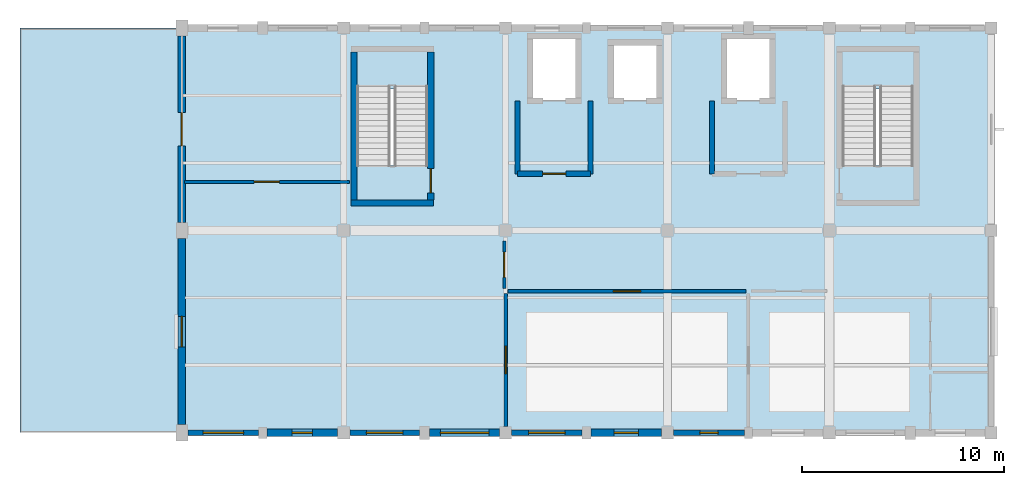
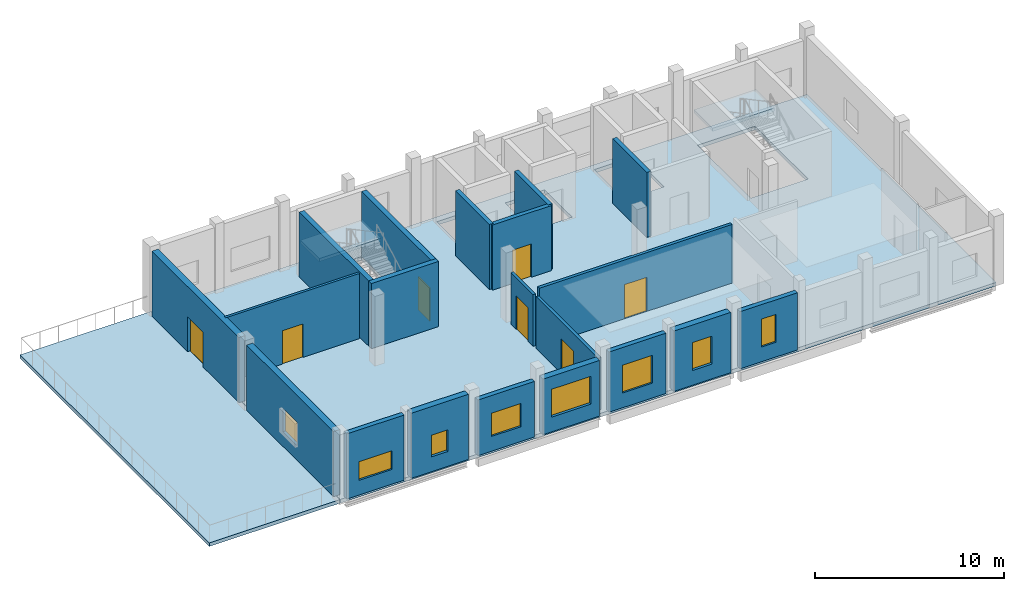
# One storey, part 2 of 6: 20 walls, 8 windows, 7 doors, 4 slabs, 15 openings, 2 elements without a shape of their own.
"""IFC4 building model written with IfcOpenShell, lengths in metres."""

import ifcopenshell
import ifcopenshell.guid

model = None  # the IFC model being written
_history = None  # IfcOwnerHistory: only IFC2X3 demands one
_inside = {}  # id of a spatial element -> (the spatial element, [elements in it])
_under = {}  # id of a project, library or spatial element -> (it, [spatial elements below it])
_declared = {}  # id of a project -> (the project, [libraries it declares])
_typed = {}  # id of a type object -> (the type object, [elements of that type])
_made_of = {}  # id of a material, layer set ... -> (it, [elements and type objects made of it])


def new_model(schema):
    """Start an empty IFC model of exactly this schema.

    Asked for "IFC4X3", IfcOpenShell would pick the latest addendum, in which some entities
    have other attributes; the version numbers below select the first issue.
    IFC2X3 requires an IfcOwnerHistory on every rooted entity: one is made here for all.
    """
    global model, _history
    if schema == "IFC4X3":
        model = ifcopenshell.file(schema_version=(4, 3, 0, 0))
    else:
        model = ifcopenshell.file(schema=schema)
    _inside.clear()
    _under.clear()
    _declared.clear()
    _typed.clear()
    _made_of.clear()
    _history = None
    if model.schema == "IFC2X3":
        org = make("IfcOrganization", Name="unknown")
        user = make(
            "IfcPersonAndOrganization",
            ThePerson=make("IfcPerson", FamilyName="unknown"),
            TheOrganization=org,
        )
        app = make(
            "IfcApplication",
            ApplicationDeveloper=org,
            Version="unknown",
            ApplicationFullName="unknown",
            ApplicationIdentifier="unknown",
        )
        _history = make(
            "IfcOwnerHistory",
            OwningUser=user,
            OwningApplication=app,
            ChangeAction="ADDED",
            CreationDate=0,
        )
    return model


def make(cls, **values):
    """One entity of the class cls with the attributes given. An attribute that is None is left unset."""
    return model.create_entity(
        cls, **{name: value for name, value in values.items() if value is not None}
    )


def rooted(cls, **values):
    """An entity with a GlobalId (a new one), such as an element, a storey or a relation."""
    return make(cls, GlobalId=ifcopenshell.guid.new(), OwnerHistory=_history, **values)


def si_unit(unit_type, name, prefix=None):
    """IfcSIUnit, for example si_unit("LENGTHUNIT", "METRE", prefix="MILLI")."""
    return make("IfcSIUnit", UnitType=unit_type, Prefix=prefix, Name=name)


def assignment(units):
    """IfcUnitAssignment: the units of a project."""
    return None if units is None else make("IfcUnitAssignment", Units=units)


def point(xyz):
    """IfcCartesianPoint."""
    return None if xyz is None else make("IfcCartesianPoint", Coordinates=xyz)


def direction(xyz):
    """IfcDirection."""
    return None if xyz is None else make("IfcDirection", DirectionRatios=xyz)


def frame(location, z_axis=None, x_axis=None):
    """IfcAxis2Placement3D, a coordinate frame: its origin and axes. An axis left out is left unset."""
    return make(
        "IfcAxis2Placement3D",
        Location=point(location),
        Axis=direction(z_axis),
        RefDirection=direction(x_axis),
    )


def frame_2d(location, x_axis=None):
    """IfcAxis2Placement2D, a coordinate frame in the plane: its origin and x axis."""
    return make(
        "IfcAxis2Placement2D", Location=point(location), RefDirection=direction(x_axis)
    )


def origin():
    """The frame at (0, 0, 0) with its axes left unset."""
    return frame((0.0, 0.0, 0.0))


def place(relative_to, where):
    """IfcLocalPlacement: puts the frame where relative to a parent placement (None: the world)."""
    return make(
        "IfcLocalPlacement", PlacementRelTo=relative_to, RelativePlacement=where
    )


def context(
    kind, dimensions, precision=None, world=None, true_north=None, identifier=None
):
    """IfcGeometricRepresentationContext, for example the 3D "Model" context."""
    return make(
        "IfcGeometricRepresentationContext",
        ContextIdentifier=identifier,
        ContextType=kind,
        CoordinateSpaceDimension=dimensions,
        Precision=precision,
        WorldCoordinateSystem=world,
        TrueNorth=true_north,
    )


def subcontext(parent, identifier, kind, view, scale=None):
    """IfcGeometricRepresentationSubContext, for example "Body" below "Model"."""
    return make(
        "IfcGeometricRepresentationSubContext",
        ContextIdentifier=identifier,
        ContextType=kind,
        ParentContext=parent,
        TargetScale=scale,
        TargetView=view,
    )


def project(units=None, contexts=None):
    """IfcProject with its units and contexts."""
    return rooted(
        "IfcProject",
        Name="project",
        RepresentationContexts=contexts,
        UnitsInContext=assignment(units),
    )


def spatial(cls, under=None, at=None, **own):
    """A site, building, storey or space (cls), placed at a placement, below another one or the project."""
    s = rooted(cls, ObjectPlacement=at, **own)
    if under is not None:
        _under.setdefault(under.id(), (under, []))[1].append(s)
    return s


def polyline(points):
    """IfcPolyline through the points."""
    return make("IfcPolyline", Points=[point(p) for p in points])


def profile(cls, at=None, kind="AREA", **sizes):
    """A parametric profile (cls). Its sizes go by their IFC names, for example OverallWidth=200.0."""
    return make(cls, ProfileType=kind, Position=at, **sizes)


def rectangle(**sizes):
    """IfcRectangleProfileDef."""
    return profile("IfcRectangleProfileDef", **sizes)


def outline(outer, holes=None, kind="AREA"):
    """IfcArbitraryClosedProfileDef: a profile drawn as a closed curve; with holes, ...WithVoids."""
    if holes is None:
        return make("IfcArbitraryClosedProfileDef", ProfileType=kind, OuterCurve=outer)
    return make(
        "IfcArbitraryProfileDefWithVoids",
        ProfileType=kind,
        OuterCurve=outer,
        InnerCurves=holes,
    )


def extrude(swept, where, along, depth):
    """IfcExtrudedAreaSolid: the profile swept, set in the frame where, extruded along a direction by depth."""
    return make(
        "IfcExtrudedAreaSolid",
        SweptArea=swept,
        Position=where,
        ExtrudedDirection=direction(along),
        Depth=depth,
    )


def shape(context_of_items, identifier, shape_type, items):
    """IfcShapeRepresentation: the items that make up one representation, for example the "Body"."""
    return make(
        "IfcShapeRepresentation",
        ContextOfItems=context_of_items,
        RepresentationIdentifier=identifier,
        RepresentationType=shape_type,
        Items=items,
    )


def material(Name=None, Category=None):
    """IfcMaterial."""
    return make("IfcMaterial", Name=Name, Category=Category)


def layer(
    of_material, thickness, ventilated=None, Name=None, Category=None, Priority=None
):
    """IfcMaterialLayer: one layer of a wall or slab, of a material (None: an air gap)."""
    return make(
        "IfcMaterialLayer",
        Material=of_material,
        LayerThickness=thickness,
        IsVentilated=ventilated,
        Name=Name,
        Category=Category,
        Priority=Priority,
    )


def layer_set(layers, Name=None):
    """IfcMaterialLayerSet."""
    return make("IfcMaterialLayerSet", MaterialLayers=layers, LayerSetName=Name)


def made_of(thing, what):
    """Note that an element or type object is made of a material, layer set ...; save() writes the relation."""
    if what is not None:
        _made_of.setdefault(what.id(), (what, []))[1].append(thing)
    return thing


def type_object(cls, material=None, **own):
    """A type object (cls), such as IfcWallType, which elements share."""
    return made_of(rooted(cls, **own), material)


def element(
    cls,
    number,
    at=None,
    inside=None,
    cuts=None,
    type_object=None,
    material=None,
    context=None,
    identifier="Body",
    shape_type=None,
    held_by="IfcProductDefinitionShape",
    body=None,
    shapes=None,
    **own,
):
    """One element of the class cls, such as IfcWall. Its Tag is "e" and its number.

    at: its placement. inside: the storey or other place that contains it. cuts: it is an
    opening in that element (IfcRelVoidsElement). A single representation is given by context,
    identifier, shape_type and body (its items); several are given by shapes. held_by: the class
    of the entity that holds the representations. save() writes the other relations.
    """
    e = rooted(cls, Tag="e%d" % number, ObjectPlacement=at, **own)
    if body is not None:
        shapes = [shape(context, identifier, shape_type, body)]
    if shapes is not None:
        e.Representation = make(held_by, Representations=shapes)
    if inside is not None:
        _inside.setdefault(inside.id(), (inside, []))[1].append(e)
    if cuts is not None:
        rooted(
            "IfcRelVoidsElement", RelatingBuildingElement=cuts, RelatedOpeningElement=e
        )
    if type_object is not None:
        _typed.setdefault(type_object.id(), (type_object, []))[1].append(e)
    return made_of(e, material)


def fill(opening, filler):
    """IfcRelFillsElement: the door or window that sits in an opening."""
    return rooted(
        "IfcRelFillsElement",
        RelatingOpeningElement=opening,
        RelatedBuildingElement=filler,
    )


def aggregate(whole, parts):
    """IfcRelAggregates: a whole, such as a stair, and the parts it consists of."""
    return rooted("IfcRelAggregates", RelatingObject=whole, RelatedObjects=parts)


def save(model, path):
    """Write the relations noted so far, then the file.

    IfcRelAggregates (storeys below a building ...), IfcRelContainedInSpatialStructure (elements
    in a storey), IfcRelDefinesByType, IfcRelAssociatesMaterial and IfcRelDeclares: one each for
    every whole, place, type object, material and project.
    """
    for whole, parts in _under.values():
        aggregate(whole, parts)
    for where, things in _inside.values():
        rooted(
            "IfcRelContainedInSpatialStructure",
            RelatedElements=things,
            RelatingStructure=where,
        )
    for kind, things in _typed.values():
        rooted("IfcRelDefinesByType", RelatedObjects=things, RelatingType=kind)
    for what, things in _made_of.values():
        rooted("IfcRelAssociatesMaterial", RelatedObjects=things, RelatingMaterial=what)
    for by, libraries in _declared.values():
        rooted("IfcRelDeclares", RelatingContext=by, RelatedDefinitions=libraries)
    model.write(path)


model = new_model("IFC4")

# Units and contexts
model_context = context("Model", 3, precision=1e-05, world=origin(), true_north=direction((0.0, 1.0)))
body_context = subcontext(model_context, "Body", "Model", "MODEL_VIEW")
ifc_project = project(units=[si_unit("LENGTHUNIT", "METRE"), si_unit("AREAUNIT", "SQUARE_METRE"), si_unit("VOLUMEUNIT", "CUBIC_METRE"), si_unit("PLANEANGLEUNIT", "RADIAN"), si_unit("MASSUNIT", "GRAM", prefix="KILO")], contexts=[model_context])

# Site, building, storey
site_placement = place(None, origin())
site = spatial("IfcSite", under=ifc_project, at=site_placement, CompositionType="ELEMENT")
building_placement = place(site_placement, origin())
building = spatial("IfcBuilding", under=site, at=building_placement, Name="Luwemba Playhouse", CompositionType="ELEMENT")
storey_placement = place(building_placement, frame((0.0, 0.0, 18.300048828125)))
storey = spatial("IfcBuildingStorey", under=building, at=storey_placement, Name="L04", CompositionType="ELEMENT", Elevation=18.300048828125)

# Stair, slab
ifc_material_1 = material(Name="Concrete C40/50", Category="concrete")
stair_type = type_object("IfcStairType", Name="STR-DL-04", PredefinedType="HALF_TURN_STAIR", material=ifc_material_1)
stair_1_placement = place(storey_placement, origin())
stair_1 = element("IfcStair", 1, at=stair_1_placement, inside=storey, type_object=stair_type, Name="L04 Conservatory Firefighting Escape Stair", PredefinedType="HALF_TURN_STAIR")
ifc_layer_1 = layer(ifc_material_1, 0.215087890625)
ifc_layer_set_1 = layer_set([ifc_layer_1], Name="Concrete C40/50")
slab_type_1 = type_object("IfcSlabType", Name="SLB-LND-215", PredefinedType="LANDING", material=ifc_layer_set_1)
slab_1_placement = place(storey_placement, frame((0.0, 0.0, 2.050048828125)))
slab_1 = element("IfcSlab", 2, at=slab_1_placement, type_object=slab_type_1, Name="ST-09 landing 1", PredefinedType="LANDING", context=body_context, shape_type="SweptSolid", body=[
    extrude(outline(polyline([(144.2900390625, 111.97998046875), (140.510009765625, 111.97998046875), (140.510009765625, 113.9599609375), (144.2900390625, 113.9599609375), (144.2900390625, 111.97998046875)])), origin(), (0.0, 0.0, 1.0), 0.199951171875),
])
aggregate(stair_1, [slab_1])

stair_2_placement = place(storey_placement, origin())
stair_2 = element("IfcStair", 3, at=stair_2_placement, inside=storey, type_object=stair_type, Name="L04 Conservatory East Escape Stair", PredefinedType="HALF_TURN_STAIR")
slab_2_placement = place(storey_placement, frame((0.0, 0.0, 2.050048828125)))
slab_2 = element("IfcSlab", 4, at=slab_2_placement, type_object=slab_type_1, Name="ST-10 landing 1", PredefinedType="LANDING", context=body_context, shape_type="SweptSolid", body=[
    extrude(outline(polyline([(168.2900390625, 111.97998046875), (164.510009765625, 111.97998046875), (164.510009765625, 113.9599609375), (168.2900390625, 113.9599609375), (168.2900390625, 111.97998046875)])), origin(), (0.0, 0.0, 1.0), 0.199951171875),
])
aggregate(stair_2, [slab_2])

# Slabs
ifc_layer_2 = layer(ifc_material_1, 0.22998046875)
ifc_layer_set_2 = layer_set([ifc_layer_2], Name="Concrete C40/50")
slab_type_2 = type_object("IfcSlabType", Name="SLB-UPP-230", PredefinedType="FLOOR", material=ifc_layer_set_2)
slab_3_placement = place(storey_placement, frame((0.0, 0.0, -0.22998046875)))
element("IfcSlab", 5, at=slab_3_placement, inside=storey, type_object=slab_type_2, Name="L04 V6E structural floor slab", PredefinedType="FLOOR", context=body_context, shape_type="SweptSolid", body=[
    extrude(outline(polyline([(172.0, 115.0), (172.0, 95.0), (132.0, 95.0), (132.0, 115.0), (172.0, 115.0)]), holes=[polyline([(144.14990234375, 108.199951171875), (144.14990234375, 113.820068359375), (140.64990234375, 113.820068359375), (140.64990234375, 108.199951171875), (144.14990234375, 108.199951171875)]), polyline([(168.14990234375, 108.199951171875), (168.14990234375, 113.820068359375), (164.64990234375, 113.820068359375), (164.64990234375, 108.199951171875), (168.14990234375, 108.199951171875)]), polyline([(153.199951171875, 111.39990234375), (155.60009765625, 111.39990234375), (155.60009765625, 114.300048828125), (153.199951171875, 114.300048828125), (153.199951171875, 111.39990234375)]), polyline([(149.199951171875, 114.60009765625), (149.199951171875, 111.39990234375), (151.60009765625, 111.39990234375), (151.60009765625, 114.60009765625), (149.199951171875, 114.60009765625)]), polyline([(158.800048828125, 114.60009765625), (158.800048828125, 111.39990234375), (161.199951171875, 111.39990234375), (161.199951171875, 114.60009765625), (158.800048828125, 114.60009765625)])]), origin(), (0.0, 0.0, 1.0), 0.22998046875),
])
slab_4_placement = place(storey_placement, frame((0.0, 0.0, -0.22998046875)))
element("IfcSlab", 6, at=slab_4_placement, inside=storey, type_object=slab_type_2, Name="L04 Conservatory Terrace Level 4", PredefinedType="FLOOR", context=body_context, shape_type="SweptSolid", body=[
    extrude(outline(polyline([(124.0, 95.0), (131.969970703125, 95.0), (131.969970703125, 115.0), (124.0, 115.0), (124.0, 95.0)])), origin(), (0.0, 0.0, 1.0), 0.22998046875),
])

# Wall, opening, window
ifc_material_2 = material(Name="Clay facing brick obra vista masonry", Category="masonry")
ifc_layer_3 = layer(ifc_material_2, 0.3798828125)
ifc_layer_set_3 = layer_set([ifc_layer_3], Name="Clay facing brick obra vista masonry")
wall_type_1 = type_object("IfcWallType", Name="WAL-BRK-380", PredefinedType="SOLIDWALL", material=ifc_layer_set_3)
wall_1_placement = place(storey_placement, frame((132.0, 95.39990234375, 0.0), z_axis=(0.0, 0.0, 1.0), x_axis=(0.0, 1.0, 0.0)))
wall_1 = element("IfcWall", 7, at=wall_1_placement, inside=storey, type_object=wall_type_1, Name="L04 V6E exterior facade wall 0476", PredefinedType="SOLIDWALL", context=body_context, shape_type="SweptSolid", body=[
    extrude(rectangle(XDim=9.2001953125, YDim=0.3798828125, at=frame_2d((4.60009765625, 0.0))), origin(), (0.0, 0.0, 1.0), 4.199951171875),
])
opening_1_placement = place(wall_1_placement, frame((3.85009765625, 0.0, 0.949951171875)))
opening_1 = element("IfcOpeningElement", 8, at=opening_1_placement, cuts=wall_1, Name="Opening WN-09", PredefinedType="OPENING", context=body_context, shape_type="SweptSolid", body=[
    extrude(rectangle(XDim=1.5, YDim=1.5, at=frame_2d((0.75, 0.75))), frame((0.0, 0.199951171875, 0.0), z_axis=(0.0, -1.0, 0.0), x_axis=(1.0, 0.0, 0.0)), (0.0, 0.0, 1.0), 0.39990234375),
])
ifc_material_3 = material(Name="Solar-control double glazing in aluminium frame", Category="aluminium")
window_type_1 = type_object("IfcWindowType", Name="WIN-WN-09", PartitioningType="DOUBLE_PANEL_VERTICAL", PredefinedType="WINDOW", material=ifc_material_3)
window_1_placement = place(opening_1_placement, origin())
window_1 = element("IfcWindow", 9, at=window_1_placement, inside=storey, type_object=window_type_1, Name="L04 V6E scheduled window 0416", OverallHeight=1.5, OverallWidth=1.5, PartitioningType="DOUBLE_PANEL_VERTICAL", PredefinedType="WINDOW", context=body_context, shape_type="SweptSolid", body=[
    extrude(rectangle(XDim=1.5, YDim=1.5, at=frame_2d((0.75, 0.75))), frame((0.0, 0.030029296875, 0.0), z_axis=(0.0, -1.0, 0.0), x_axis=(1.0, 0.0, 0.0)), (0.0, 0.0, 1.0), 0.06005859375),
])
fill(opening_1, window_1)

# Wall, opening, door
wall_2_placement = place(storey_placement, frame((132.0, 105.39990234375, 0.0), z_axis=(0.0, 0.0, 1.0), x_axis=(0.0, 1.0, 0.0)))
wall_2 = element("IfcWall", 10, at=wall_2_placement, inside=storey, type_object=wall_type_1, Name="L04 V6E exterior facade wall 0477", PredefinedType="SOLIDWALL", context=body_context, shape_type="SweptSolid", body=[
    extrude(rectangle(XDim=9.2001953125, YDim=0.3798828125, at=frame_2d((4.60009765625, 0.0))), origin(), (0.0, 0.0, 1.0), 4.199951171875),
])
opening_2_placement = place(wall_2_placement, frame((3.77490234375, 0.0, 0.0)))
opening_2 = element("IfcOpeningElement", 11, at=opening_2_placement, cuts=wall_2, Name="Opening D-TR1", PredefinedType="OPENING", context=body_context, shape_type="SweptSolid", body=[
    extrude(rectangle(XDim=1.64990234375, YDim=2.25, at=frame_2d((0.824951171875, 1.125))), frame((0.0, 0.199951171875, 0.0), z_axis=(0.0, -1.0, 0.0), x_axis=(1.0, 0.0, 0.0)), (0.0, 0.0, 1.0), 0.39990234375),
])
ifc_material_4 = material(Name="Architectural bronze-anodised aluminium and glazed leaf", Category="aluminium")
door_type_1 = type_object("IfcDoorType", Name="DR-TER-165", OperationType="NOTDEFINED", PredefinedType="DOOR", material=ifc_material_4)
door_1_placement = place(opening_2_placement, origin())
door_1 = element("IfcDoor", 12, at=door_1_placement, inside=storey, type_object=door_type_1, Name="L04 TER-V6E-L04 terrace entrance door", OperationType="DOUBLE_DOOR_SINGLE_SWING", OverallHeight=2.25, OverallWidth=1.64990234375, PredefinedType="DOOR", context=body_context, shape_type="SweptSolid", body=[
    extrude(rectangle(XDim=1.64990234375, YDim=2.25, at=frame_2d((0.824951171875, 1.125))), frame((0.0, 0.02490234375, 0.0), z_axis=(0.0, -1.0, 0.0), x_axis=(1.0, 0.0, 0.0)), (0.0, 0.0, 1.0), 0.050048828125),
])
fill(opening_2, door_1)

# Wall, opening, window
wall_3_placement = place(storey_placement, frame((155.699951171875, 95.0, 0.0), z_axis=(0.0, 0.0, 1.0), x_axis=(-1.0, 0.0, 0.0)))
wall_3 = element("IfcWall", 13, at=wall_3_placement, inside=storey, type_object=wall_type_1, Name="L04 V6E exterior facade wall 0494", PredefinedType="SOLIDWALL", context=body_context, shape_type="SweptSolid", body=[
    extrude(rectangle(XDim=3.474853515625, YDim=0.3798828125, at=frame_2d((1.7373046875, 0.0))), origin(), (0.0, 0.0, 1.0), 3.885009765625),
])
opening_3_placement = place(wall_3_placement, frame((1.137451171875, 0.0, 0.949951171875)))
opening_3 = element("IfcOpeningElement", 14, at=opening_3_placement, cuts=wall_3, Name="Opening WN-01", PredefinedType="OPENING", context=body_context, shape_type="SweptSolid", body=[
    extrude(rectangle(XDim=1.199951171875, YDim=1.800048828125, at=frame_2d((0.60009765625, 0.89990234375))), frame((0.0, 0.199951171875, 0.0), z_axis=(0.0, -1.0, 0.0), x_axis=(1.0, 0.0, 0.0)), (0.0, 0.0, 1.0), 0.39990234375),
])
window_type_2 = type_object("IfcWindowType", Name="WIN-WN-01", PartitioningType="SINGLE_PANEL", PredefinedType="WINDOW", material=ifc_material_3)
window_2_placement = place(opening_3_placement, origin())
window_2 = element("IfcWindow", 15, at=window_2_placement, inside=storey, type_object=window_type_2, Name="L04 V6E scheduled window 0433", OverallHeight=1.800048828125, OverallWidth=1.199951171875, PartitioningType="SINGLE_PANEL", PredefinedType="WINDOW", context=body_context, shape_type="SweptSolid", body=[
    extrude(rectangle(XDim=1.199951171875, YDim=1.800048828125, at=frame_2d((0.60009765625, 0.89990234375))), frame((0.0, 0.030029296875, 0.0), z_axis=(0.0, -1.0, 0.0), x_axis=(1.0, 0.0, 0.0)), (0.0, 0.0, 1.0), 0.06005859375),
])
fill(opening_3, window_2)

wall_4_placement = place(storey_placement, frame((147.699951171875, 95.0, 0.0), z_axis=(0.0, 0.0, 1.0), x_axis=(-1.0, 0.0, 0.0)))
wall_4 = element("IfcWall", 16, at=wall_4_placement, inside=storey, type_object=wall_type_1, Name="L04 V6E exterior facade wall 0496", PredefinedType="SOLIDWALL", context=body_context, shape_type="SweptSolid", body=[
    extrude(rectangle(XDim=3.449951171875, YDim=0.3798828125, at=frame_2d((1.72509765625, 0.0))), origin(), (0.0, 0.0, 1.0), 3.5849609375),
])
opening_4_placement = place(wall_4_placement, frame((0.52490234375, 0.0, 0.949951171875)))
opening_4 = element("IfcOpeningElement", 17, at=opening_4_placement, cuts=wall_4, Name="Opening WN-07", PredefinedType="OPENING", context=body_context, shape_type="SweptSolid", body=[
    extrude(rectangle(XDim=2.39990234375, YDim=1.800048828125, at=frame_2d((1.199951171875, 0.89990234375))), frame((0.0, 0.199951171875, 0.0), z_axis=(0.0, -1.0, 0.0), x_axis=(1.0, 0.0, 0.0)), (0.0, 0.0, 1.0), 0.39990234375),
])
window_type_3 = type_object("IfcWindowType", Name="WIN-WN-07", PartitioningType="TRIPLE_PANEL_VERTICAL", PredefinedType="WINDOW", material=ifc_material_3)
window_3_placement = place(opening_4_placement, origin())
window_3 = element("IfcWindow", 18, at=window_3_placement, inside=storey, type_object=window_type_3, Name="L04 V6E scheduled window 0435", OverallHeight=1.800048828125, OverallWidth=2.39990234375, PartitioningType="TRIPLE_PANEL_VERTICAL", PredefinedType="WINDOW", context=body_context, shape_type="SweptSolid", body=[
    extrude(rectangle(XDim=2.39990234375, YDim=1.800048828125, at=frame_2d((1.199951171875, 0.89990234375))), frame((0.0, 0.030029296875, 0.0), z_axis=(0.0, -1.0, 0.0), x_axis=(1.0, 0.0, 0.0)), (0.0, 0.0, 1.0), 0.06005859375),
])
fill(opening_4, window_3)

wall_5_placement = place(storey_placement, frame((139.699951171875, 95.0, 0.0), z_axis=(0.0, 0.0, 1.0), x_axis=(-1.0, 0.0, 0.0)))
wall_5 = element("IfcWall", 19, at=wall_5_placement, inside=storey, type_object=wall_type_1, Name="L04 V6E exterior facade wall 0498", PredefinedType="SOLIDWALL", context=body_context, shape_type="SweptSolid", body=[
    extrude(rectangle(XDim=3.5, YDim=0.3798828125, at=frame_2d((1.75, 0.0))), origin(), (0.0, 0.0, 1.0), 4.199951171875),
])
opening_5_placement = place(wall_5_placement, frame((1.25, 0.0, 0.949951171875)))
opening_5 = element("IfcOpeningElement", 20, at=opening_5_placement, cuts=wall_5, Name="Opening WN-13", PredefinedType="OPENING", context=body_context, shape_type="SweptSolid", body=[
    extrude(rectangle(XDim=1.0, YDim=1.39990234375, at=frame_2d((0.5, 0.699951171875))), frame((0.0, 0.199951171875, 0.0), z_axis=(0.0, -1.0, 0.0), x_axis=(1.0, 0.0, 0.0)), (0.0, 0.0, 1.0), 0.39990234375),
])
window_type_4 = type_object("IfcWindowType", Name="WIN-WN-13", PartitioningType="SINGLE_PANEL", PredefinedType="WINDOW", material=ifc_material_3)
window_4_placement = place(opening_5_placement, origin())
window_4 = element("IfcWindow", 21, at=window_4_placement, inside=storey, type_object=window_type_4, Name="L04 V6E scheduled window 0437", OverallHeight=1.39990234375, OverallWidth=1.0, PartitioningType="SINGLE_PANEL", PredefinedType="WINDOW", context=body_context, shape_type="SweptSolid", body=[
    extrude(rectangle(XDim=1.0, YDim=1.39990234375, at=frame_2d((0.5, 0.699951171875))), frame((0.0, 0.030029296875, 0.0), z_axis=(0.0, -1.0, 0.0), x_axis=(1.0, 0.0, 0.0)), (0.0, 0.0, 1.0), 0.06005859375),
])
fill(opening_5, window_4)

# Walls
ifc_layer_4 = layer(ifc_material_1, 0.300048828125)
ifc_layer_set_4 = layer_set([ifc_layer_4], Name="Concrete C40/50")
wall_type_2 = type_object("IfcWallType", Name="WAL-CORE-300", PredefinedType="SHEAR", material=ifc_layer_set_4)
wall_6_placement = place(storey_placement, frame((140.35009765625, 106.35009765625, 0.0), z_axis=(0.0, 0.0, 1.0), x_axis=(1.0, 0.0, 0.0)))
element("IfcWall", 22, at=wall_6_placement, inside=storey, type_object=wall_type_2, Name="L04 ST-09 stair core wall S", PredefinedType="SHEAR", context=body_context, shape_type="SweptSolid", body=[
    extrude(rectangle(XDim=4.099853515625, YDim=0.300048828125, at=frame_2d((2.0498046875, 0.0))), origin(), (0.0, 0.0, 1.0), 4.199951171875),
])
wall_7_placement = place(storey_placement, frame((140.5, 106.5, 0.0), z_axis=(0.0, 0.0, 1.0), x_axis=(0.0, 1.0, 0.0)))
element("IfcWall", 23, at=wall_7_placement, inside=storey, type_object=wall_type_2, Name="L04 ST-09 stair core wall W", PredefinedType="SHEAR", context=body_context, shape_type="SweptSolid", body=[
    extrude(rectangle(XDim=7.320068359375, YDim=0.300048828125, at=frame_2d((3.66015625, 0.0))), origin(), (0.0, 0.0, 1.0), 4.199951171875),
])

# Wall, opening, door
wall_8_placement = place(storey_placement, frame((144.300048828125, 106.5, 0.0), z_axis=(0.0, 0.0, 1.0), x_axis=(0.0, 1.0, 0.0)))
wall_8 = element("IfcWall", 24, at=wall_8_placement, inside=storey, type_object=wall_type_2, Name="L04 ST-09 stair core wall E", PredefinedType="SHEAR", context=body_context, shape_type="SweptSolid", body=[
    extrude(rectangle(XDim=7.320068359375, YDim=0.300048828125, at=frame_2d((3.66015625, 0.0))), origin(), (0.0, 0.0, 1.0), 4.199951171875),
])
opening_6_placement = place(wall_8_placement, frame((0.35009765625, 0.0, 0.0)))
opening_6 = element("IfcOpeningElement", 25, at=opening_6_placement, cuts=wall_8, Name="Opening D-STAIR3", PredefinedType="OPENING", context=body_context, shape_type="SweptSolid", body=[
    extrude(rectangle(XDim=1.199951171875, YDim=2.14990234375, at=frame_2d((0.60009765625, 1.074951171875))), frame((0.0, 0.159912109375, 0.0), z_axis=(0.0, -1.0, 0.0), x_axis=(1.0, 0.0, 0.0)), (0.0, 0.0, 1.0), 0.320068359375),
])
ifc_material_5 = material(Name="Hardwood acoustic fire door leaf", Category="wood")
door_type_2 = type_object("IfcDoorType", Name="DR-STAIR-120", OperationType="NOTDEFINED", PredefinedType="DOOR", material=ifc_material_5)
door_2_placement = place(opening_6_placement, origin())
door_2 = element("IfcDoor", 26, at=door_2_placement, inside=storey, type_object=door_type_2, Name="L04 ST-09 protected stair entry door", OperationType="SINGLE_SWING_LEFT", OverallHeight=2.14990234375, OverallWidth=1.199951171875, PredefinedType="DOOR", context=body_context, shape_type="SweptSolid", body=[
    extrude(rectangle(XDim=1.199951171875, YDim=2.14990234375, at=frame_2d((0.60009765625, 1.074951171875))), frame((0.0, 0.02490234375, 0.0), z_axis=(0.0, -1.0, 0.0), x_axis=(1.0, 0.0, 0.0)), (0.0, 0.0, 1.0), 0.050048828125),
])
fill(opening_6, door_2)

ifc_layer_5 = layer(ifc_material_1, 0.25)
ifc_layer_set_5 = layer_set([ifc_layer_5], Name="Concrete C40/50")
wall_type_3 = type_object("IfcWallType", Name="WAL-FFL-250", PredefinedType="SOLIDWALL", material=ifc_layer_set_5)
wall_9_placement = place(storey_placement, frame((152.199951171875, 107.800048828125, 0.0), z_axis=(0.0, 0.0, 1.0), x_axis=(-1.0, 0.0, 0.0)))
wall_9 = element("IfcWall", 27, at=wall_9_placement, inside=storey, type_object=wall_type_3, Name="L04 LF-FF1 firefighting lift lobby wall S", PredefinedType="SOLIDWALL", context=body_context, shape_type="SweptSolid", body=[
    extrude(rectangle(XDim=3.599853515625, YDim=0.25, at=frame_2d((1.7998046875, 0.0))), origin(), (0.0, 0.0, 1.0), 4.199951171875),
])
opening_7_placement = place(wall_9_placement, frame((1.22509765625, 0.0, 0.0)))
opening_7 = element("IfcOpeningElement", 28, at=opening_7_placement, cuts=wall_9, Name="Opening D-FD60", PredefinedType="OPENING", context=body_context, shape_type="SweptSolid", body=[
    extrude(rectangle(XDim=1.14990234375, YDim=2.14990234375, at=frame_2d((0.574951171875, 1.074951171875))), frame((0.0, 0.135009765625, 0.0), z_axis=(0.0, -1.0, 0.0), x_axis=(1.0, 0.0, 0.0)), (0.0, 0.0, 1.0), 0.27001953125),
])
ifc_material_6 = material(Name="Hardwood smoke-sealed fire door leaf", Category="wood")
door_type_3 = type_object("IfcDoorType", Name="DR-FFL-115", OperationType="NOTDEFINED", PredefinedType="DOOR", material=ifc_material_6)
door_3_placement = place(opening_7_placement, origin())
door_3 = element("IfcDoor", 29, at=door_3_placement, inside=storey, type_object=door_type_3, Name="L04 LF-FF1 firefighting lobby smoke door", OperationType="SINGLE_SWING_RIGHT", OverallHeight=2.14990234375, OverallWidth=1.14990234375, PredefinedType="DOOR", context=body_context, shape_type="SweptSolid", body=[
    extrude(rectangle(XDim=1.14990234375, YDim=2.14990234375, at=frame_2d((0.574951171875, 1.074951171875))), frame((0.0, 0.02490234375, 0.0), z_axis=(0.0, -1.0, 0.0), x_axis=(1.0, 0.0, 0.0)), (0.0, 0.0, 1.0), 0.050048828125),
])
fill(opening_7, door_3)

# Walls
for number, where, z_axis, x_axis, name in (
    (30, (148.60009765625, 107.800048828125, 0.0), (0.0, 0.0, 1.0), (0.0, 1.0, 0.0), "L04 LF-FF1 firefighting lift lobby wall W"),
    (31, (152.199951171875, 111.39990234375, 0.0), (0.0, 0.0, 1.0), (0.0, -1.0, 0.0), "L04 LF-FF1 firefighting lift lobby wall E"),
    (32, (158.199951171875, 107.800048828125, 0.0), (0.0, 0.0, 1.0), (0.0, 1.0, 0.0), "L04 LF-FF2 firefighting lift lobby wall W"),
):
    element("IfcWall", number, at=place(storey_placement, frame(where, z_axis=z_axis, x_axis=x_axis)), inside=storey, type_object=wall_type_3, Name=name, PredefinedType="SOLIDWALL", context=body_context, shape_type="SweptSolid", body=[
        extrude(rectangle(XDim=3.599853515625, YDim=0.25, at=frame_2d((1.7998046875, 0.0))), origin(), (0.0, 0.0, 1.0), 4.199951171875),
    ])

# Wall, opening, door
ifc_material_7 = material(Name="Acoustic gypsum stud partition", Category="gypsum")
ifc_layer_6 = layer(ifc_material_7, 0.14990234375)
ifc_layer_set_6 = layer_set([ifc_layer_6], Name="Acoustic gypsum stud partition")
wall_type_4 = type_object("IfcWallType", Name="WAL-INT-150", PredefinedType="PARTITIONING", material=ifc_layer_set_6)
wall_10_placement = place(storey_placement, frame((132.1201171875, 107.39990234375, 0.0), z_axis=(0.0, 0.0, 1.0), x_axis=(1.0, 0.0, 0.0)))
wall_10 = element("IfcWall", 33, at=wall_10_placement, inside=storey, type_object=wall_type_4, Name="L04 V6E interior partition 0217", PredefinedType="PARTITIONING", context=body_context, shape_type="SweptSolid", body=[
    extrude(rectangle(XDim=8.159912109375, YDim=0.14990234375, at=frame_2d((4.080078125, 0.0))), origin(), (0.0, 0.0, 1.0), 4.199951171875),
])
opening_8_placement = place(wall_10_placement, frame((3.455078125, 0.0, 0.0)))
opening_8 = element("IfcOpeningElement", 34, at=opening_8_placement, cuts=wall_10, Name="Opening D-IN1", PredefinedType="OPENING", context=body_context, shape_type="SweptSolid", body=[
    extrude(rectangle(XDim=1.25, YDim=2.14990234375, at=frame_2d((0.625, 1.074951171875))), frame((0.0, 0.0849609375, 0.0), z_axis=(0.0, -1.0, 0.0), x_axis=(1.0, 0.0, 0.0)), (0.0, 0.0, 1.0), 0.169921875),
])
ifc_material_8 = material(Name="Solid hardwood interior door", Category="wood")
door_type_4 = type_object("IfcDoorType", Name="DR-INT-125", OperationType="NOTDEFINED", PredefinedType="DOOR", material=ifc_material_8)
door_4_placement = place(opening_8_placement, origin())
door_4 = element("IfcDoor", 35, at=door_4_placement, inside=storey, type_object=door_type_4, Name="L04 Playhouse Artistic Direction and Production Office to Conservatory Terrace Reading Lounge door", OperationType="SINGLE_SWING_RIGHT", OverallHeight=2.14990234375, OverallWidth=1.25, PredefinedType="DOOR", context=body_context, shape_type="SweptSolid", body=[
    extrude(rectangle(XDim=1.25, YDim=2.14990234375, at=frame_2d((0.625, 1.074951171875))), frame((0.0, 0.02490234375, 0.0), z_axis=(0.0, -1.0, 0.0), x_axis=(1.0, 0.0, 0.0)), (0.0, 0.0, 1.0), 0.050048828125),
])
fill(opening_8, door_4)

wall_11_placement = place(storey_placement, frame((147.93994140625, 102.1201171875, 0.0), z_axis=(0.0, 0.0, 1.0), x_axis=(0.0, 1.0, 0.0)))
wall_11 = element("IfcWall", 36, at=wall_11_placement, inside=storey, type_object=wall_type_4, Name="L04 V6E interior partition 0218", PredefinedType="PARTITIONING", context=body_context, shape_type="SweptSolid", body=[
    extrude(rectangle(XDim=2.35986328125, YDim=0.14990234375, at=frame_2d((1.179931640625, 0.0))), origin(), (0.0, 0.0, 1.0), 3.3349609375),
])
opening_9_placement = place(wall_11_placement, frame((0.554931640625, 0.0, 0.0)))
opening_9 = element("IfcOpeningElement", 37, at=opening_9_placement, cuts=wall_11, Name="Opening D-IN1", PredefinedType="OPENING", context=body_context, shape_type="SweptSolid", body=[
    extrude(rectangle(XDim=1.25, YDim=2.14990234375, at=frame_2d((0.625, 1.074951171875))), frame((0.0, 0.0849609375, 0.0), z_axis=(0.0, -1.0, 0.0), x_axis=(1.0, 0.0, 0.0)), (0.0, 0.0, 1.0), 0.169921875),
])
door_5_placement = place(opening_9_placement, origin())
door_5 = element("IfcDoor", 38, at=door_5_placement, inside=storey, type_object=door_type_4, Name="L04 Playhouse Artistic Direction and Production Office to Conservatory Level 4 Corridor door", OperationType="SINGLE_SWING_LEFT", OverallHeight=2.14990234375, OverallWidth=1.25, PredefinedType="DOOR", context=body_context, shape_type="SweptSolid", body=[
    extrude(rectangle(XDim=1.25, YDim=2.14990234375, at=frame_2d((0.625, 1.074951171875))), frame((0.0, 0.02490234375, 0.0), z_axis=(0.0, -1.0, 0.0), x_axis=(1.0, 0.0, 0.0)), (0.0, 0.0, 1.0), 0.050048828125),
])
fill(opening_9, door_5)

ifc_material_9 = material(Name="Double-stud acoustic gypsum partition", Category="gypsum")
ifc_layer_7 = layer(ifc_material_9, 0.179931640625)
ifc_layer_set_7 = layer_set([ifc_layer_7], Name="Double-stud acoustic gypsum partition")
wall_type_5 = type_object("IfcWallType", Name="WAL-INT-180", PredefinedType="PARTITIONING", material=ifc_layer_set_7)
wall_12_placement = place(storey_placement, frame((148.0, 95.320068359375, 0.0), z_axis=(0.0, 0.0, 1.0), x_axis=(0.0, 1.0, 0.0)))
wall_12 = element("IfcWall", 39, at=wall_12_placement, inside=storey, type_object=wall_type_5, Name="L04 V6E interior partition 0216", PredefinedType="PARTITIONING", context=body_context, shape_type="SweptSolid", body=[
    extrude(rectangle(XDim=6.559814453125, YDim=0.179931640625, at=frame_2d((3.27978515625, 0.0))), origin(), (0.0, 0.0, 1.0), 3.3349609375),
])
opening_10_placement = place(wall_12_placement, frame((2.60498046875, 0.0, 0.0)))
opening_10 = element("IfcOpeningElement", 40, at=opening_10_placement, cuts=wall_12, Name="Opening D-STU1", PredefinedType="OPENING", context=body_context, shape_type="SweptSolid", body=[
    extrude(rectangle(XDim=1.35009765625, YDim=2.199951171875, at=frame_2d((0.675048828125, 1.10009765625))), frame((0.0, 0.099853515625, 0.0), z_axis=(0.0, -1.0, 0.0), x_axis=(1.0, 0.0, 0.0)), (0.0, 0.0, 1.0), 0.199951171875),
])
ifc_material_10 = material(Name="Acoustic studio door", Category="wood")
door_type_5 = type_object("IfcDoorType", Name="DR-STU-135", OperationType="NOTDEFINED", PredefinedType="DOOR", material=ifc_material_10)
door_6_placement = place(opening_10_placement, origin())
door_6 = element("IfcDoor", 41, at=door_6_placement, inside=storey, type_object=door_type_5, Name="L04 Playhouse Artistic Direction and Production Office to Resident Stage and Set Design Studio door", OperationType="SINGLE_SWING_LEFT", OverallHeight=2.199951171875, OverallWidth=1.35009765625, PredefinedType="DOOR", context=body_context, shape_type="SweptSolid", body=[
    extrude(rectangle(XDim=1.35009765625, YDim=2.199951171875, at=frame_2d((0.675048828125, 1.10009765625))), frame((0.0, 0.02490234375, 0.0), z_axis=(0.0, -1.0, 0.0), x_axis=(1.0, 0.0, 0.0)), (0.0, 0.0, 1.0), 0.050048828125),
])
fill(opening_10, door_6)

wall_13_placement = place(storey_placement, frame((148.1201171875, 102.0, 0.0), z_axis=(0.0, 0.0, 1.0), x_axis=(1.0, 0.0, 0.0)))
wall_13 = element("IfcWall", 42, at=wall_13_placement, inside=storey, type_object=wall_type_5, Name="L04 V6E interior partition 0220", PredefinedType="PARTITIONING", context=body_context, shape_type="SweptSolid", body=[
    extrude(rectangle(XDim=11.759765625, YDim=0.179931640625, at=frame_2d((5.8798828125, 0.0))), origin(), (0.0, 0.0, 1.0), 3.784912109375),
])
opening_11_placement = place(wall_13_placement, frame((5.205078125, 0.0, 0.0)))
opening_11 = element("IfcOpeningElement", 43, at=opening_11_placement, cuts=wall_13, Name="Opening D-STU1", PredefinedType="OPENING", context=body_context, shape_type="SweptSolid", body=[
    extrude(rectangle(XDim=1.35009765625, YDim=2.199951171875, at=frame_2d((0.675048828125, 1.10009765625))), frame((0.0, 0.099853515625, 0.0), z_axis=(0.0, -1.0, 0.0), x_axis=(1.0, 0.0, 0.0)), (0.0, 0.0, 1.0), 0.199951171875),
])
door_7_placement = place(opening_11_placement, origin())
door_7 = element("IfcDoor", 44, at=door_7_placement, inside=storey, type_object=door_type_5, Name="L04 Resident Stage and Set Design Studio to Conservatory Level 4 Corridor door", OperationType="SINGLE_SWING_LEFT", OverallHeight=2.199951171875, OverallWidth=1.35009765625, PredefinedType="DOOR", context=body_context, shape_type="SweptSolid", body=[
    extrude(rectangle(XDim=1.35009765625, YDim=2.199951171875, at=frame_2d((0.675048828125, 1.10009765625))), frame((0.0, 0.02490234375, 0.0), z_axis=(0.0, -1.0, 0.0), x_axis=(1.0, 0.0, 0.0)), (0.0, 0.0, 1.0), 0.050048828125),
])
fill(opening_11, door_7)

# Wall, opening, window
ifc_material_11 = material(Name="Structural timber GL24h infill", Category="wood")
ifc_layer_8 = layer(ifc_material_11, 0.280029296875)
ifc_layer_set_8 = layer_set([ifc_layer_8], Name="Structural timber GL24h infill")
wall_type_6 = type_object("IfcWallType", Name="WAL-TIM-280", PredefinedType="SOLIDWALL", material=ifc_layer_set_8)
wall_14_placement = place(storey_placement, frame((159.800048828125, 95.0, 0.0), z_axis=(0.0, 0.0, 1.0), x_axis=(-1.0, 0.0, 0.0)))
wall_14 = element("IfcWall", 45, at=wall_14_placement, inside=storey, type_object=wall_type_6, Name="L04 V6E exterior facade wall 0493", PredefinedType="SOLIDWALL", context=body_context, shape_type="SweptSolid", body=[
    extrude(rectangle(XDim=3.5, YDim=0.280029296875, at=frame_2d((1.75, 0.0))), origin(), (0.0, 0.0, 1.0), 3.68505859375),
])
opening_12_placement = place(wall_14_placement, frame((1.300048828125, 0.0, 0.949951171875)))
opening_12 = element("IfcOpeningElement", 46, at=opening_12_placement, cuts=wall_14, Name="Opening WN-18", PredefinedType="OPENING", context=body_context, shape_type="SweptSolid", body=[
    extrude(rectangle(XDim=0.89990234375, YDim=1.800048828125, at=frame_2d((0.449951171875, 0.89990234375))), frame((0.0, 0.14990234375, 0.0), z_axis=(0.0, -1.0, 0.0), x_axis=(1.0, 0.0, 0.0)), (0.0, 0.0, 1.0), 0.300048828125),
])
window_type_5 = type_object("IfcWindowType", Name="WIN-WN-18", PartitioningType="SINGLE_PANEL", PredefinedType="WINDOW", material=ifc_material_3)
window_5_placement = place(opening_12_placement, origin())
window_5 = element("IfcWindow", 47, at=window_5_placement, inside=storey, type_object=window_type_5, Name="L04 V6E scheduled window 0432", OverallHeight=1.800048828125, OverallWidth=0.89990234375, PartitioningType="SINGLE_PANEL", PredefinedType="WINDOW", context=body_context, shape_type="SweptSolid", body=[
    extrude(rectangle(XDim=0.89990234375, YDim=1.800048828125, at=frame_2d((0.449951171875, 0.89990234375))), frame((0.0, 0.030029296875, 0.0), z_axis=(0.0, -1.0, 0.0), x_axis=(1.0, 0.0, 0.0)), (0.0, 0.0, 1.0), 0.06005859375),
])
fill(opening_12, window_5)

wall_15_placement = place(storey_placement, frame((151.77490234375, 95.0, 0.0), z_axis=(0.0, 0.0, 1.0), x_axis=(-1.0, 0.0, 0.0)))
wall_15 = element("IfcWall", 48, at=wall_15_placement, inside=storey, type_object=wall_type_6, Name="L04 V6E exterior facade wall 0495", PredefinedType="SOLIDWALL", context=body_context, shape_type="SweptSolid", body=[
    extrude(rectangle(XDim=3.474853515625, YDim=0.280029296875, at=frame_2d((1.7373046875, 0.0))), origin(), (0.0, 0.0, 1.0), 3.885009765625),
])
opening_13_placement = place(wall_15_placement, frame((0.83740234375, 0.0, 0.949951171875)))
opening_13 = element("IfcOpeningElement", 49, at=opening_13_placement, cuts=wall_15, Name="Opening WN-04", PredefinedType="OPENING", context=body_context, shape_type="SweptSolid", body=[
    extrude(rectangle(XDim=1.800048828125, YDim=1.800048828125, at=frame_2d((0.89990234375, 0.89990234375))), frame((0.0, 0.14990234375, 0.0), z_axis=(0.0, -1.0, 0.0), x_axis=(1.0, 0.0, 0.0)), (0.0, 0.0, 1.0), 0.300048828125),
])
window_type_6 = type_object("IfcWindowType", Name="WIN-WN-04", PartitioningType="DOUBLE_PANEL_VERTICAL", PredefinedType="WINDOW", material=ifc_material_3)
window_6_placement = place(opening_13_placement, origin())
window_6 = element("IfcWindow", 50, at=window_6_placement, inside=storey, type_object=window_type_6, Name="L04 V6E scheduled window 0434", OverallHeight=1.800048828125, OverallWidth=1.800048828125, PartitioningType="DOUBLE_PANEL_VERTICAL", PredefinedType="WINDOW", context=body_context, shape_type="SweptSolid", body=[
    extrude(rectangle(XDim=1.800048828125, YDim=1.800048828125, at=frame_2d((0.89990234375, 0.89990234375))), frame((0.0, 0.030029296875, 0.0), z_axis=(0.0, -1.0, 0.0), x_axis=(1.0, 0.0, 0.0)), (0.0, 0.0, 1.0), 0.06005859375),
])
fill(opening_13, window_6)

wall_16_placement = place(storey_placement, frame((143.75, 95.0, 0.0), z_axis=(0.0, 0.0, 1.0), x_axis=(-1.0, 0.0, 0.0)))
wall_16 = element("IfcWall", 51, at=wall_16_placement, inside=storey, type_object=wall_type_6, Name="L04 V6E exterior facade wall 0497", PredefinedType="SOLIDWALL", context=body_context, shape_type="SweptSolid", body=[
    extrude(rectangle(XDim=3.449951171875, YDim=0.280029296875, at=frame_2d((1.72509765625, 0.0))), origin(), (0.0, 0.0, 1.0), 3.5849609375),
])
opening_14_placement = place(wall_16_placement, frame((0.824951171875, 0.0, 0.949951171875)))
opening_14 = element("IfcOpeningElement", 52, at=opening_14_placement, cuts=wall_16, Name="Opening WN-10", PredefinedType="OPENING", context=body_context, shape_type="SweptSolid", body=[
    extrude(rectangle(XDim=1.800048828125, YDim=1.5, at=frame_2d((0.89990234375, 0.75))), frame((0.0, 0.14990234375, 0.0), z_axis=(0.0, -1.0, 0.0), x_axis=(1.0, 0.0, 0.0)), (0.0, 0.0, 1.0), 0.300048828125),
])
window_type_7 = type_object("IfcWindowType", Name="WIN-WN-10", PartitioningType="DOUBLE_PANEL_VERTICAL", PredefinedType="WINDOW", material=ifc_material_3)
window_7_placement = place(opening_14_placement, origin())
window_7 = element("IfcWindow", 53, at=window_7_placement, inside=storey, type_object=window_type_7, Name="L04 V6E scheduled window 0436", OverallHeight=1.5, OverallWidth=1.800048828125, PartitioningType="DOUBLE_PANEL_VERTICAL", PredefinedType="WINDOW", context=body_context, shape_type="SweptSolid", body=[
    extrude(rectangle(XDim=1.800048828125, YDim=1.5, at=frame_2d((0.89990234375, 0.75))), frame((0.0, 0.030029296875, 0.0), z_axis=(0.0, -1.0, 0.0), x_axis=(1.0, 0.0, 0.0)), (0.0, 0.0, 1.0), 0.06005859375),
])
fill(opening_14, window_7)

wall_17_placement = place(storey_placement, frame((135.800048828125, 95.0, 0.0), z_axis=(0.0, 0.0, 1.0), x_axis=(-1.0, 0.0, 0.0)))
wall_17 = element("IfcWall", 54, at=wall_17_placement, inside=storey, type_object=wall_type_6, Name="L04 V6E exterior facade wall 0499", PredefinedType="SOLIDWALL", context=body_context, shape_type="SweptSolid", body=[
    extrude(rectangle(XDim=3.5, YDim=0.280029296875, at=frame_2d((1.75, 0.0))), origin(), (0.0, 0.0, 1.0), 4.199951171875),
])
opening_15_placement = place(wall_17_placement, frame((0.75, 0.0, 0.949951171875)))
opening_15 = element("IfcOpeningElement", 55, at=opening_15_placement, cuts=wall_17, Name="Opening WN-16", PredefinedType="OPENING", context=body_context, shape_type="SweptSolid", body=[
    extrude(rectangle(XDim=2.0, YDim=1.199951171875, at=frame_2d((1.0, 0.60009765625))), frame((0.0, 0.14990234375, 0.0), z_axis=(0.0, -1.0, 0.0), x_axis=(1.0, 0.0, 0.0)), (0.0, 0.0, 1.0), 0.300048828125),
])
window_type_8 = type_object("IfcWindowType", Name="WIN-WN-16", PartitioningType="DOUBLE_PANEL_HORIZONTAL", PredefinedType="WINDOW", material=ifc_material_3)
window_8_placement = place(opening_15_placement, origin())
window_8 = element("IfcWindow", 56, at=window_8_placement, inside=storey, type_object=window_type_8, Name="L04 V6E scheduled window 0438", OverallHeight=1.199951171875, OverallWidth=2.0, PartitioningType="DOUBLE_PANEL_HORIZONTAL", PredefinedType="WINDOW", context=body_context, shape_type="SweptSolid", body=[
    extrude(rectangle(XDim=2.0, YDim=1.199951171875, at=frame_2d((1.0, 0.60009765625))), frame((0.0, 0.030029296875, 0.0), z_axis=(0.0, -1.0, 0.0), x_axis=(1.0, 0.0, 0.0)), (0.0, 0.0, 1.0), 0.06005859375),
])
fill(opening_15, window_8)

save(model, "model.ifc")
